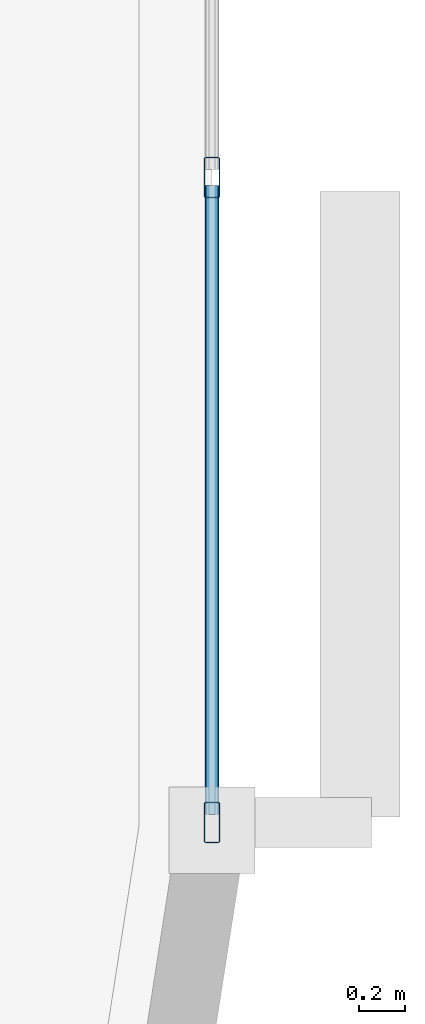
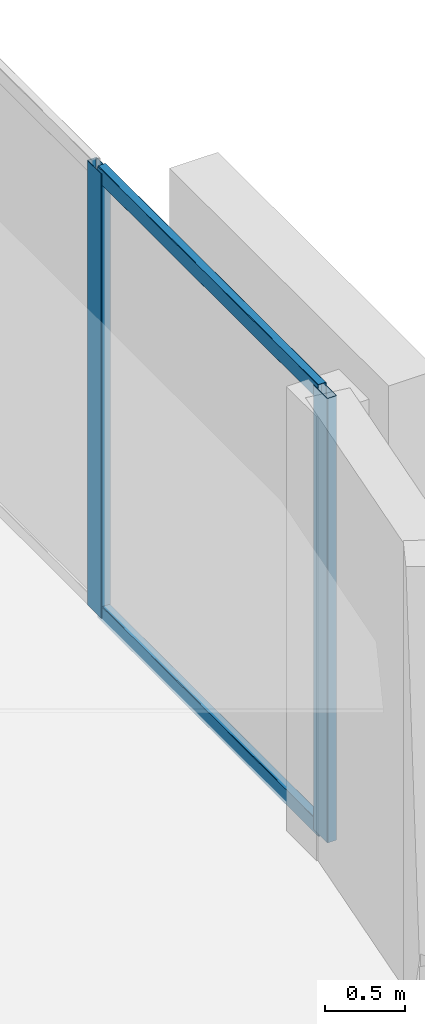
# One storey, part 4 of 16: 4 members, 1 element without a shape of its own.
"""IFC4 building model written with IfcOpenShell, lengths in metres."""

import ifcopenshell
import ifcopenshell.guid

model = None  # the IFC model being written
_history = None  # IfcOwnerHistory: only IFC2X3 demands one
_inside = {}  # id of a spatial element -> (the spatial element, [elements in it])
_under = {}  # id of a project, library or spatial element -> (it, [spatial elements below it])
_declared = {}  # id of a project -> (the project, [libraries it declares])
_typed = {}  # id of a type object -> (the type object, [elements of that type])
_made_of = {}  # id of a material, layer set ... -> (it, [elements and type objects made of it])


def new_model(schema):
    """Start an empty IFC model of exactly this schema.

    Asked for "IFC4X3", IfcOpenShell would pick the latest addendum, in which some entities
    have other attributes; the version numbers below select the first issue.
    IFC2X3 requires an IfcOwnerHistory on every rooted entity: one is made here for all.
    """
    global model, _history
    if schema == "IFC4X3":
        model = ifcopenshell.file(schema_version=(4, 3, 0, 0))
    else:
        model = ifcopenshell.file(schema=schema)
    _inside.clear()
    _under.clear()
    _declared.clear()
    _typed.clear()
    _made_of.clear()
    _history = None
    if model.schema == "IFC2X3":
        org = make("IfcOrganization", Name="unknown")
        user = make(
            "IfcPersonAndOrganization",
            ThePerson=make("IfcPerson", FamilyName="unknown"),
            TheOrganization=org,
        )
        app = make(
            "IfcApplication",
            ApplicationDeveloper=org,
            Version="unknown",
            ApplicationFullName="unknown",
            ApplicationIdentifier="unknown",
        )
        _history = make(
            "IfcOwnerHistory",
            OwningUser=user,
            OwningApplication=app,
            ChangeAction="ADDED",
            CreationDate=0,
        )
    return model


def make(cls, **values):
    """One entity of the class cls with the attributes given. An attribute that is None is left unset."""
    return model.create_entity(
        cls, **{name: value for name, value in values.items() if value is not None}
    )


def rooted(cls, **values):
    """An entity with a GlobalId (a new one), such as an element, a storey or a relation."""
    return make(cls, GlobalId=ifcopenshell.guid.new(), OwnerHistory=_history, **values)


def si_unit(unit_type, name, prefix=None):
    """IfcSIUnit, for example si_unit("LENGTHUNIT", "METRE", prefix="MILLI")."""
    return make("IfcSIUnit", UnitType=unit_type, Prefix=prefix, Name=name)


def assignment(units):
    """IfcUnitAssignment: the units of a project."""
    return None if units is None else make("IfcUnitAssignment", Units=units)


def point(xyz):
    """IfcCartesianPoint."""
    return None if xyz is None else make("IfcCartesianPoint", Coordinates=xyz)


def direction(xyz):
    """IfcDirection."""
    return None if xyz is None else make("IfcDirection", DirectionRatios=xyz)


def frame(location, z_axis=None, x_axis=None):
    """IfcAxis2Placement3D, a coordinate frame: its origin and axes. An axis left out is left unset."""
    return make(
        "IfcAxis2Placement3D",
        Location=point(location),
        Axis=direction(z_axis),
        RefDirection=direction(x_axis),
    )


def frame_2d(location, x_axis=None):
    """IfcAxis2Placement2D, a coordinate frame in the plane: its origin and x axis."""
    return make(
        "IfcAxis2Placement2D", Location=point(location), RefDirection=direction(x_axis)
    )


def origin():
    """The frame at (0, 0, 0) with its axes left unset."""
    return frame((0.0, 0.0, 0.0))


def origin_2d():
    """The frame at (0, 0) in the plane with its x axis left unset."""
    return frame_2d((0.0, 0.0))


def place(relative_to, where):
    """IfcLocalPlacement: puts the frame where relative to a parent placement (None: the world)."""
    return make(
        "IfcLocalPlacement", PlacementRelTo=relative_to, RelativePlacement=where
    )


def context(
    kind, dimensions, precision=None, world=None, true_north=None, identifier=None
):
    """IfcGeometricRepresentationContext, for example the 3D "Model" context."""
    return make(
        "IfcGeometricRepresentationContext",
        ContextIdentifier=identifier,
        ContextType=kind,
        CoordinateSpaceDimension=dimensions,
        Precision=precision,
        WorldCoordinateSystem=world,
        TrueNorth=true_north,
    )


def subcontext(parent, identifier, kind, view, scale=None):
    """IfcGeometricRepresentationSubContext, for example "Body" below "Model"."""
    return make(
        "IfcGeometricRepresentationSubContext",
        ContextIdentifier=identifier,
        ContextType=kind,
        ParentContext=parent,
        TargetScale=scale,
        TargetView=view,
    )


def project(units=None, contexts=None):
    """IfcProject with its units and contexts."""
    return rooted(
        "IfcProject",
        Name="project",
        RepresentationContexts=contexts,
        UnitsInContext=assignment(units),
    )


def spatial(cls, under=None, at=None, **own):
    """A site, building, storey or space (cls), placed at a placement, below another one or the project."""
    s = rooted(cls, ObjectPlacement=at, **own)
    if under is not None:
        _under.setdefault(under.id(), (under, []))[1].append(s)
    return s


def profile(cls, at=None, kind="AREA", **sizes):
    """A parametric profile (cls). Its sizes go by their IFC names, for example OverallWidth=200.0."""
    return make(cls, ProfileType=kind, Position=at, **sizes)


def hollow_rectangle(**sizes):
    """IfcRectangleHollowProfileDef."""
    return profile("IfcRectangleHollowProfileDef", **sizes)


def extrude(swept, where, along, depth):
    """IfcExtrudedAreaSolid: the profile swept, set in the frame where, extruded along a direction by depth."""
    return make(
        "IfcExtrudedAreaSolid",
        SweptArea=swept,
        Position=where,
        ExtrudedDirection=direction(along),
        Depth=depth,
    )


def shape(context_of_items, identifier, shape_type, items):
    """IfcShapeRepresentation: the items that make up one representation, for example the "Body"."""
    return make(
        "IfcShapeRepresentation",
        ContextOfItems=context_of_items,
        RepresentationIdentifier=identifier,
        RepresentationType=shape_type,
        Items=items,
    )


def material(Name=None, Category=None):
    """IfcMaterial."""
    return make("IfcMaterial", Name=Name, Category=Category)


def layer(
    of_material, thickness, ventilated=None, Name=None, Category=None, Priority=None
):
    """IfcMaterialLayer: one layer of a wall or slab, of a material (None: an air gap)."""
    return make(
        "IfcMaterialLayer",
        Material=of_material,
        LayerThickness=thickness,
        IsVentilated=ventilated,
        Name=Name,
        Category=Category,
        Priority=Priority,
    )


def layer_set(layers, Name=None):
    """IfcMaterialLayerSet."""
    return make("IfcMaterialLayerSet", MaterialLayers=layers, LayerSetName=Name)


def material_profile(
    of_material, cross_section, Name=None, Category=None, Priority=None
):
    """IfcMaterialProfile: a cross section and its material."""
    return make(
        "IfcMaterialProfile",
        Name=Name,
        Material=of_material,
        Profile=cross_section,
        Priority=Priority,
        Category=Category,
    )


def profile_set(profiles, Name=None, composite=None):
    """IfcMaterialProfileSet."""
    return make(
        "IfcMaterialProfileSet",
        Name=Name,
        MaterialProfiles=profiles,
        CompositeProfile=composite,
    )


def made_of(thing, what):
    """Note that an element or type object is made of a material, layer set ...; save() writes the relation."""
    if what is not None:
        _made_of.setdefault(what.id(), (what, []))[1].append(thing)
    return thing


def type_object(cls, material=None, **own):
    """A type object (cls), such as IfcWallType, which elements share."""
    return made_of(rooted(cls, **own), material)


def element(
    cls,
    number,
    at=None,
    inside=None,
    cuts=None,
    type_object=None,
    material=None,
    context=None,
    identifier="Body",
    shape_type=None,
    held_by="IfcProductDefinitionShape",
    body=None,
    shapes=None,
    **own,
):
    """One element of the class cls, such as IfcWall. Its Tag is "e" and its number.

    at: its placement. inside: the storey or other place that contains it. cuts: it is an
    opening in that element (IfcRelVoidsElement). A single representation is given by context,
    identifier, shape_type and body (its items); several are given by shapes. held_by: the class
    of the entity that holds the representations. save() writes the other relations.
    """
    e = rooted(cls, Tag="e%d" % number, ObjectPlacement=at, **own)
    if body is not None:
        shapes = [shape(context, identifier, shape_type, body)]
    if shapes is not None:
        e.Representation = make(held_by, Representations=shapes)
    if inside is not None:
        _inside.setdefault(inside.id(), (inside, []))[1].append(e)
    if cuts is not None:
        rooted(
            "IfcRelVoidsElement", RelatingBuildingElement=cuts, RelatedOpeningElement=e
        )
    if type_object is not None:
        _typed.setdefault(type_object.id(), (type_object, []))[1].append(e)
    return made_of(e, material)


def aggregate(whole, parts):
    """IfcRelAggregates: a whole, such as a stair, and the parts it consists of."""
    return rooted("IfcRelAggregates", RelatingObject=whole, RelatedObjects=parts)


def save(model, path):
    """Write the relations noted so far, then the file.

    IfcRelAggregates (storeys below a building ...), IfcRelContainedInSpatialStructure (elements
    in a storey), IfcRelDefinesByType, IfcRelAssociatesMaterial and IfcRelDeclares: one each for
    every whole, place, type object, material and project.
    """
    for whole, parts in _under.values():
        aggregate(whole, parts)
    for where, things in _inside.values():
        rooted(
            "IfcRelContainedInSpatialStructure",
            RelatedElements=things,
            RelatingStructure=where,
        )
    for kind, things in _typed.values():
        rooted("IfcRelDefinesByType", RelatedObjects=things, RelatingType=kind)
    for what, things in _made_of.values():
        rooted("IfcRelAssociatesMaterial", RelatedObjects=things, RelatingMaterial=what)
    for by, libraries in _declared.values():
        rooted("IfcRelDeclares", RelatingContext=by, RelatedDefinitions=libraries)
    model.write(path)


model = new_model("IFC4")

# Units and contexts
model_context = context("Model", 3, precision=1e-05, world=origin(), true_north=direction((0.0, 1.0)))
body_context = subcontext(model_context, "Body", "Model", "MODEL_VIEW")
ifc_project = project(units=[si_unit("LENGTHUNIT", "METRE"), si_unit("AREAUNIT", "SQUARE_METRE"), si_unit("VOLUMEUNIT", "CUBIC_METRE"), si_unit("PLANEANGLEUNIT", "RADIAN"), si_unit("MASSUNIT", "GRAM", prefix="KILO")], contexts=[model_context])

# Site, building, storey
site_placement = place(None, origin())
site = spatial("IfcSite", under=ifc_project, at=site_placement, CompositionType="ELEMENT")
building_placement = place(site_placement, origin())
building = spatial("IfcBuilding", under=site, at=building_placement, Name="An Khanh Terracotta Commons", CompositionType="ELEMENT")
storey_placement = place(building_placement, frame((0.0, 0.0, 118.699951171875)))
storey = spatial("IfcBuildingStorey", under=building, at=storey_placement, Name="L31", CompositionType="ELEMENT", Elevation=118.699951171875)

# Curtain wall, members
ifc_material = material(Name="Anodised Aluminium 6063-T6", Category="aluminium")
ifc_layer = layer(ifc_material, 0.199951171875, Name="Anodised Aluminium 6063-T6")
ifc_layer_set = layer_set([ifc_layer], Name="Anodised Aluminium 6063-T6")
curtain_wall_type = type_object("IfcCurtainWallType", Name="CW-SYS-02", PredefinedType="USERDEFINED", material=ifc_layer_set)
curtain_wall_placement = place(storey_placement, origin())
curtain_wall = element("IfcCurtainWall", 1, at=curtain_wall_placement, inside=storey, type_object=curtain_wall_type, Name="L31 CW-02 Unitised Curtain Wall CW-L31-12", ObjectType="UNITISED CURTAIN WALL", PredefinedType="USERDEFINED")
ifc_material_profile_1 = material_profile(ifc_material, hollow_rectangle(XDim=0.070068359375, YDim=0.179931640625, WallThickness=0.00390625, InnerFilletRadius=0.00390625, OuterFilletRadius=0.008056640625, at=origin_2d()), Name="RHS180x70x4")
ifc_profile_set_1 = profile_set([ifc_material_profile_1], Name="Anodised Aluminium 6063-T6")
member_type_1 = type_object("IfcMemberType", Name="CWM-RHS180x70x4", PredefinedType="MULLION", material=ifc_profile_set_1)
member_1_placement = place(storey_placement, frame((57.39990234375, 15.43505859375, 0.0), z_axis=(0.0, 0.0, 1.0), x_axis=(-1.0, 0.0, 0.0)))
member_1 = element("IfcMember", 2, at=member_1_placement, type_object=member_type_1, Name="CW-02 mullion 1", PredefinedType="MULLION", context=body_context, shape_type="SweptSolid", body=[
    extrude(hollow_rectangle(XDim=0.070068359375, YDim=0.179931640625, WallThickness=0.00390625, InnerFilletRadius=0.00390625, OuterFilletRadius=0.008056640625, at=origin_2d()), origin(), (0.0, 0.0, 1.0), 3.400146484375),
])
member_2_placement = place(storey_placement, frame((57.39990234375, 18.2666015625, 0.0), z_axis=(0.0, 0.0, 1.0), x_axis=(-1.0, 0.0, 0.0)))
member_2 = element("IfcMember", 3, at=member_2_placement, type_object=member_type_1, Name="CW-02 mullion 2", PredefinedType="MULLION", context=body_context, shape_type="SweptSolid", body=[
    extrude(hollow_rectangle(XDim=0.070068359375, YDim=0.179931640625, WallThickness=0.00390625, InnerFilletRadius=0.00390625, OuterFilletRadius=0.008056640625, at=origin_2d()), origin(), (0.0, 0.0, 1.0), 3.400146484375),
])
ifc_material_profile_2 = material_profile(ifc_material, hollow_rectangle(XDim=0.06005859375, YDim=0.1201171875, WallThickness=0.003662109375, InnerFilletRadius=0.003662109375, OuterFilletRadius=0.007080078125, at=origin_2d()), Name="RHS120x60x3.6")
ifc_profile_set_2 = profile_set([ifc_material_profile_2], Name="Anodised Aluminium 6063-T6")
member_type_2 = type_object("IfcMemberType", Name="CWT-RHS120x60x3.6", PredefinedType="USERDEFINED", material=ifc_profile_set_2)
member_3_placement = place(storey_placement, frame((57.39990234375, 15.469970703125, 0.030029296875), z_axis=(0.0, 1.0, 0.0), x_axis=(-1.0, 0.0, 0.0)))
member_3 = element("IfcMember", 4, at=member_3_placement, type_object=member_type_2, Name="CW-02 transom 1.1", ObjectType="TRANSOM", PredefinedType="USERDEFINED", context=body_context, shape_type="SweptSolid", body=[
    extrude(hollow_rectangle(XDim=0.06005859375, YDim=0.1201171875, WallThickness=0.003662109375, InnerFilletRadius=0.003662109375, OuterFilletRadius=0.007080078125, at=origin_2d()), origin(), (0.0, 0.0, 1.0), 2.76171875),
])
member_4_placement = place(storey_placement, frame((57.39990234375, 15.469970703125, 3.3701171875), z_axis=(0.0, 1.0, 0.0), x_axis=(-1.0, 0.0, 0.0)))
member_4 = element("IfcMember", 5, at=member_4_placement, type_object=member_type_2, Name="CW-02 transom 1.2", ObjectType="TRANSOM", PredefinedType="USERDEFINED", context=body_context, shape_type="SweptSolid", body=[
    extrude(hollow_rectangle(XDim=0.06005859375, YDim=0.1201171875, WallThickness=0.003662109375, InnerFilletRadius=0.003662109375, OuterFilletRadius=0.007080078125, at=origin_2d()), origin(), (0.0, 0.0, 1.0), 2.76171875),
])
aggregate(curtain_wall, [member_1, member_2, member_3, member_4])

save(model, "model.ifc")
